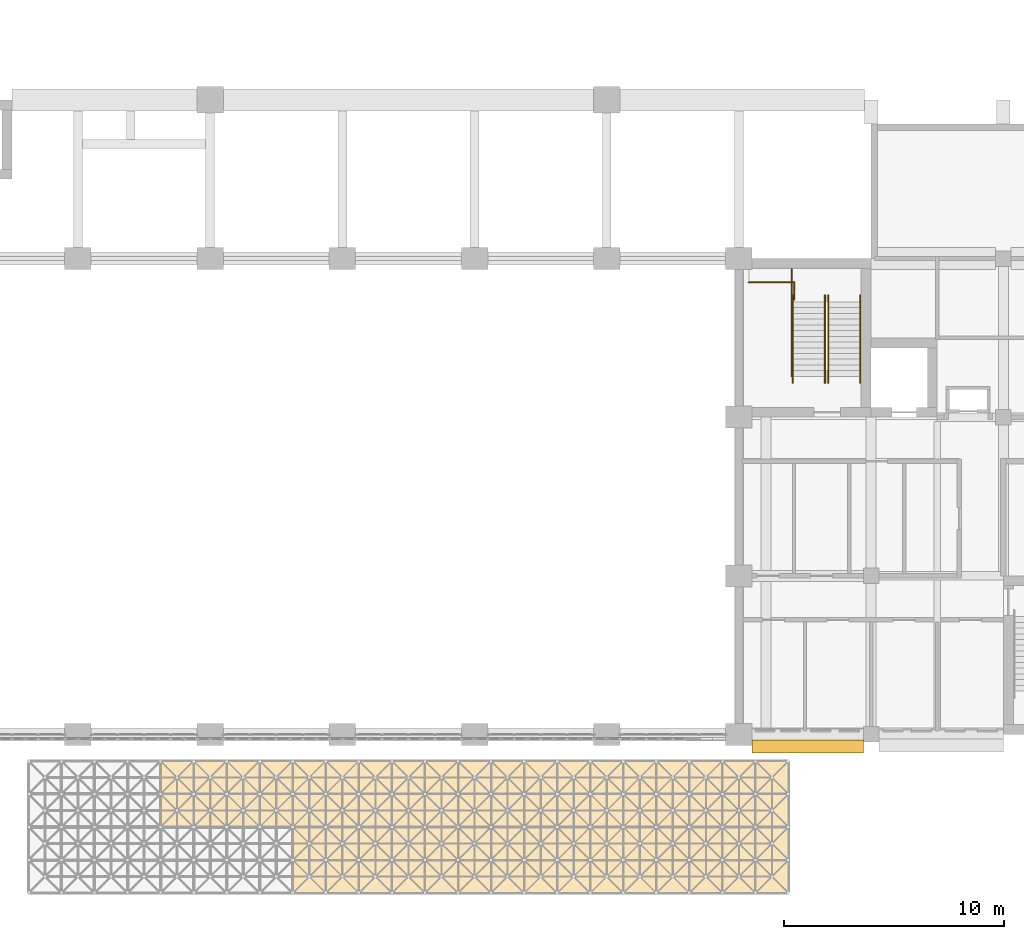
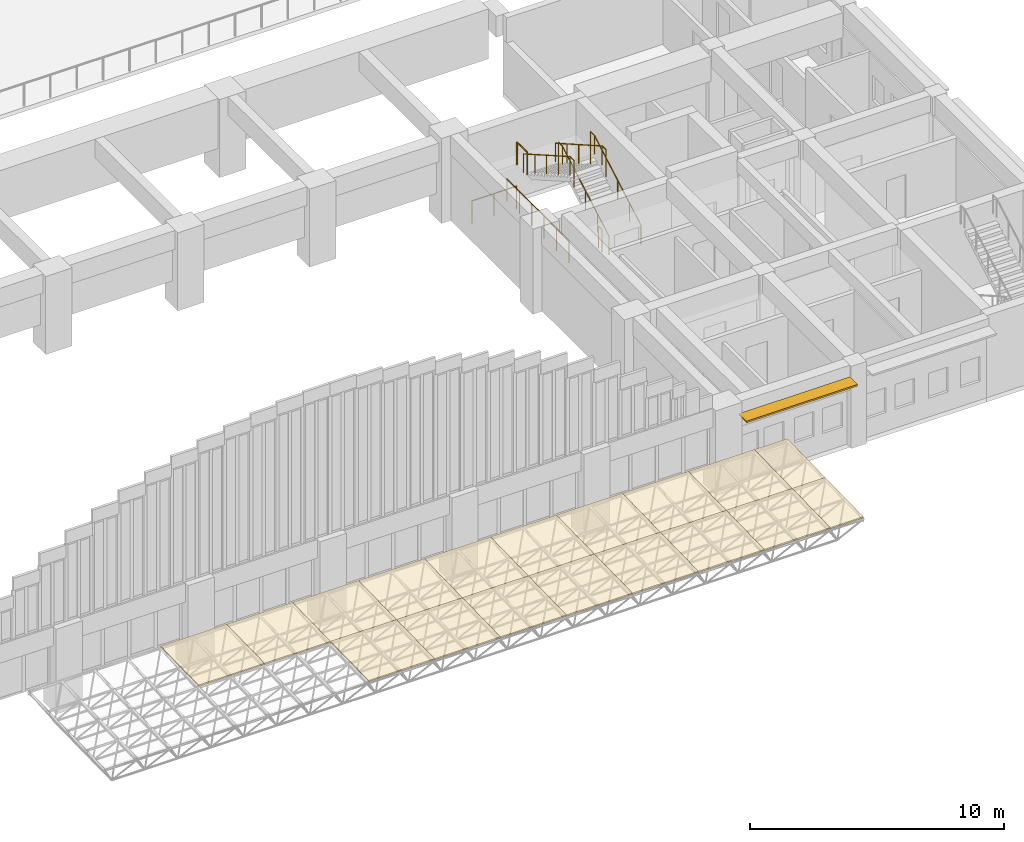
# One storey, part 96 of 103: 18 coverings, 8 railings, 1 shading device.
"""IFC4 building model written with IfcOpenShell, lengths in metres."""

import ifcopenshell
import ifcopenshell.guid

model = None  # the IFC model being written
_history = None  # IfcOwnerHistory: only IFC2X3 demands one
_inside = {}  # id of a spatial element -> (the spatial element, [elements in it])
_under = {}  # id of a project, library or spatial element -> (it, [spatial elements below it])
_declared = {}  # id of a project -> (the project, [libraries it declares])
_typed = {}  # id of a type object -> (the type object, [elements of that type])
_made_of = {}  # id of a material, layer set ... -> (it, [elements and type objects made of it])


def new_model(schema):
    """Start an empty IFC model of exactly this schema.

    Asked for "IFC4X3", IfcOpenShell would pick the latest addendum, in which some entities
    have other attributes; the version numbers below select the first issue.
    IFC2X3 requires an IfcOwnerHistory on every rooted entity: one is made here for all.
    """
    global model, _history
    if schema == "IFC4X3":
        model = ifcopenshell.file(schema_version=(4, 3, 0, 0))
    else:
        model = ifcopenshell.file(schema=schema)
    _inside.clear()
    _under.clear()
    _declared.clear()
    _typed.clear()
    _made_of.clear()
    _history = None
    if model.schema == "IFC2X3":
        org = make("IfcOrganization", Name="unknown")
        user = make(
            "IfcPersonAndOrganization",
            ThePerson=make("IfcPerson", FamilyName="unknown"),
            TheOrganization=org,
        )
        app = make(
            "IfcApplication",
            ApplicationDeveloper=org,
            Version="unknown",
            ApplicationFullName="unknown",
            ApplicationIdentifier="unknown",
        )
        _history = make(
            "IfcOwnerHistory",
            OwningUser=user,
            OwningApplication=app,
            ChangeAction="ADDED",
            CreationDate=0,
        )
    return model


def make(cls, **values):
    """One entity of the class cls with the attributes given. An attribute that is None is left unset."""
    return model.create_entity(
        cls, **{name: value for name, value in values.items() if value is not None}
    )


def rooted(cls, **values):
    """An entity with a GlobalId (a new one), such as an element, a storey or a relation."""
    return make(cls, GlobalId=ifcopenshell.guid.new(), OwnerHistory=_history, **values)


def si_unit(unit_type, name, prefix=None):
    """IfcSIUnit, for example si_unit("LENGTHUNIT", "METRE", prefix="MILLI")."""
    return make("IfcSIUnit", UnitType=unit_type, Prefix=prefix, Name=name)


def assignment(units):
    """IfcUnitAssignment: the units of a project."""
    return None if units is None else make("IfcUnitAssignment", Units=units)


def point(xyz):
    """IfcCartesianPoint."""
    return None if xyz is None else make("IfcCartesianPoint", Coordinates=xyz)


def direction(xyz):
    """IfcDirection."""
    return None if xyz is None else make("IfcDirection", DirectionRatios=xyz)


def frame(location, z_axis=None, x_axis=None):
    """IfcAxis2Placement3D, a coordinate frame: its origin and axes. An axis left out is left unset."""
    return make(
        "IfcAxis2Placement3D",
        Location=point(location),
        Axis=direction(z_axis),
        RefDirection=direction(x_axis),
    )


def frame_2d(location, x_axis=None):
    """IfcAxis2Placement2D, a coordinate frame in the plane: its origin and x axis."""
    return make(
        "IfcAxis2Placement2D", Location=point(location), RefDirection=direction(x_axis)
    )


def origin():
    """The frame at (0, 0, 0) with its axes left unset."""
    return frame((0.0, 0.0, 0.0))


def origin_2d():
    """The frame at (0, 0) in the plane with its x axis left unset."""
    return frame_2d((0.0, 0.0))


def place(relative_to, where):
    """IfcLocalPlacement: puts the frame where relative to a parent placement (None: the world)."""
    return make(
        "IfcLocalPlacement", PlacementRelTo=relative_to, RelativePlacement=where
    )


def context(
    kind, dimensions, precision=None, world=None, true_north=None, identifier=None
):
    """IfcGeometricRepresentationContext, for example the 3D "Model" context."""
    return make(
        "IfcGeometricRepresentationContext",
        ContextIdentifier=identifier,
        ContextType=kind,
        CoordinateSpaceDimension=dimensions,
        Precision=precision,
        WorldCoordinateSystem=world,
        TrueNorth=true_north,
    )


def subcontext(parent, identifier, kind, view, scale=None):
    """IfcGeometricRepresentationSubContext, for example "Body" below "Model"."""
    return make(
        "IfcGeometricRepresentationSubContext",
        ContextIdentifier=identifier,
        ContextType=kind,
        ParentContext=parent,
        TargetScale=scale,
        TargetView=view,
    )


def project(units=None, contexts=None):
    """IfcProject with its units and contexts."""
    return rooted(
        "IfcProject",
        Name="project",
        RepresentationContexts=contexts,
        UnitsInContext=assignment(units),
    )


def spatial(cls, under=None, at=None, **own):
    """A site, building, storey or space (cls), placed at a placement, below another one or the project."""
    s = rooted(cls, ObjectPlacement=at, **own)
    if under is not None:
        _under.setdefault(under.id(), (under, []))[1].append(s)
    return s


def polyline(points):
    """IfcPolyline through the points."""
    return make("IfcPolyline", Points=[point(p) for p in points])


def profile(cls, at=None, kind="AREA", **sizes):
    """A parametric profile (cls). Its sizes go by their IFC names, for example OverallWidth=200.0."""
    return make(cls, ProfileType=kind, Position=at, **sizes)


def rectangle(**sizes):
    """IfcRectangleProfileDef."""
    return profile("IfcRectangleProfileDef", **sizes)


def circle(**sizes):
    """IfcCircleProfileDef."""
    return profile("IfcCircleProfileDef", **sizes)


def outline(outer, holes=None, kind="AREA"):
    """IfcArbitraryClosedProfileDef: a profile drawn as a closed curve; with holes, ...WithVoids."""
    if holes is None:
        return make("IfcArbitraryClosedProfileDef", ProfileType=kind, OuterCurve=outer)
    return make(
        "IfcArbitraryProfileDefWithVoids",
        ProfileType=kind,
        OuterCurve=outer,
        InnerCurves=holes,
    )


def extrude(swept, where, along, depth):
    """IfcExtrudedAreaSolid: the profile swept, set in the frame where, extruded along a direction by depth."""
    return make(
        "IfcExtrudedAreaSolid",
        SweptArea=swept,
        Position=where,
        ExtrudedDirection=direction(along),
        Depth=depth,
    )


def shape(context_of_items, identifier, shape_type, items):
    """IfcShapeRepresentation: the items that make up one representation, for example the "Body"."""
    return make(
        "IfcShapeRepresentation",
        ContextOfItems=context_of_items,
        RepresentationIdentifier=identifier,
        RepresentationType=shape_type,
        Items=items,
    )


def material(Name=None, Category=None):
    """IfcMaterial."""
    return make("IfcMaterial", Name=Name, Category=Category)


def layer(
    of_material, thickness, ventilated=None, Name=None, Category=None, Priority=None
):
    """IfcMaterialLayer: one layer of a wall or slab, of a material (None: an air gap)."""
    return make(
        "IfcMaterialLayer",
        Material=of_material,
        LayerThickness=thickness,
        IsVentilated=ventilated,
        Name=Name,
        Category=Category,
        Priority=Priority,
    )


def layer_set(layers, Name=None):
    """IfcMaterialLayerSet."""
    return make("IfcMaterialLayerSet", MaterialLayers=layers, LayerSetName=Name)


def made_of(thing, what):
    """Note that an element or type object is made of a material, layer set ...; save() writes the relation."""
    if what is not None:
        _made_of.setdefault(what.id(), (what, []))[1].append(thing)
    return thing


def type_object(cls, material=None, **own):
    """A type object (cls), such as IfcWallType, which elements share."""
    return made_of(rooted(cls, **own), material)


def element(
    cls,
    number,
    at=None,
    inside=None,
    cuts=None,
    type_object=None,
    material=None,
    context=None,
    identifier="Body",
    shape_type=None,
    held_by="IfcProductDefinitionShape",
    body=None,
    shapes=None,
    **own,
):
    """One element of the class cls, such as IfcWall. Its Tag is "e" and its number.

    at: its placement. inside: the storey or other place that contains it. cuts: it is an
    opening in that element (IfcRelVoidsElement). A single representation is given by context,
    identifier, shape_type and body (its items); several are given by shapes. held_by: the class
    of the entity that holds the representations. save() writes the other relations.
    """
    e = rooted(cls, Tag="e%d" % number, ObjectPlacement=at, **own)
    if body is not None:
        shapes = [shape(context, identifier, shape_type, body)]
    if shapes is not None:
        e.Representation = make(held_by, Representations=shapes)
    if inside is not None:
        _inside.setdefault(inside.id(), (inside, []))[1].append(e)
    if cuts is not None:
        rooted(
            "IfcRelVoidsElement", RelatingBuildingElement=cuts, RelatedOpeningElement=e
        )
    if type_object is not None:
        _typed.setdefault(type_object.id(), (type_object, []))[1].append(e)
    return made_of(e, material)


def aggregate(whole, parts):
    """IfcRelAggregates: a whole, such as a stair, and the parts it consists of."""
    return rooted("IfcRelAggregates", RelatingObject=whole, RelatedObjects=parts)


def save(model, path):
    """Write the relations noted so far, then the file.

    IfcRelAggregates (storeys below a building ...), IfcRelContainedInSpatialStructure (elements
    in a storey), IfcRelDefinesByType, IfcRelAssociatesMaterial and IfcRelDeclares: one each for
    every whole, place, type object, material and project.
    """
    for whole, parts in _under.values():
        aggregate(whole, parts)
    for where, things in _inside.values():
        rooted(
            "IfcRelContainedInSpatialStructure",
            RelatedElements=things,
            RelatingStructure=where,
        )
    for kind, things in _typed.values():
        rooted("IfcRelDefinesByType", RelatedObjects=things, RelatingType=kind)
    for what, things in _made_of.values():
        rooted("IfcRelAssociatesMaterial", RelatedObjects=things, RelatingMaterial=what)
    for by, libraries in _declared.values():
        rooted("IfcRelDeclares", RelatingContext=by, RelatedDefinitions=libraries)
    model.write(path)


model = new_model("IFC4")

# Units and contexts
model_context = context("Model", 3, precision=1e-05, world=origin(), true_north=direction((0.0, 1.0)))
body_context = subcontext(model_context, "Body", "Model", "MODEL_VIEW")
ifc_project = project(units=[si_unit("LENGTHUNIT", "METRE"), si_unit("AREAUNIT", "SQUARE_METRE"), si_unit("VOLUMEUNIT", "CUBIC_METRE"), si_unit("PLANEANGLEUNIT", "RADIAN"), si_unit("MASSUNIT", "GRAM", prefix="KILO")], contexts=[model_context])

# Site, building, storey
site_placement = place(None, origin())
site = spatial("IfcSite", under=ifc_project, at=site_placement, CompositionType="ELEMENT")
building_placement = place(site_placement, origin())
building = spatial("IfcBuilding", under=site, at=building_placement, Name="Laocheng Heights Fire and Rescue Headquarters", CompositionType="ELEMENT")
storey_placement = place(building_placement, frame((0.0, 0.0, 4.199951171875)))
storey = spatial("IfcBuildingStorey", under=building, at=storey_placement, Name="L01", CompositionType="ELEMENT", Elevation=4.199951171875)

# Coverings
ifc_material_1 = material(Name="Standing-seam aluminium roof panel on insulated profiled deck", Category="aluminium")
ifc_layer_1 = layer(ifc_material_1, 0.06005859375)
ifc_layer_set_1 = layer_set([ifc_layer_1], Name="Standing-seam aluminium roof panel on insulated profiled deck")
covering_type = type_object("IfcCoveringType", Name="APRON CANOPY COVERING 60", PredefinedType="ROOFING", material=ifc_layer_set_1)
for number, where, z_axis, x_axis, name in (
    (1, (27.75, -1.199951171875, 2.193115234375), (0.0, -0.019934189218, 0.999801294308), (1.0, 0.0, 0.0), "Apron canopy covering 05"),
    (2, (30.75, -1.199951171875, 2.193115234375), (0.0, -0.019934189218, 0.999801294308), (1.0, 0.0, 0.0), "Apron canopy covering 07"),
    (3, (33.75, -1.199951171875, 2.193115234375), (0.0, -0.019934189218, 0.999801294308), (1.0, 0.0, 0.0), "Apron canopy covering 09"),
):
    element("IfcCovering", number, at=place(storey_placement, frame(where, z_axis=z_axis, x_axis=x_axis)), inside=storey, type_object=covering_type, Name=name, PredefinedType="ROOFING", context=body_context, shape_type="SweptSolid", body=[
        extrude(outline(polyline([(0.0, 0.0), (3.0, 0.0), (3.0, -3.0005962355509688), (0.0, -3.0005962355509688), (0.0, 0.0)])), origin(), (0.0, 0.0, -1.0), 0.06005859375),
    ])
covering_1_placement = place(storey_placement, frame((33.75, -4.199951171875, 2.13330078125), z_axis=(0.0, -0.020015520725, 0.999799669399), x_axis=(1.0, 0.0, 0.0)))
element("IfcCovering", 4, at=covering_1_placement, inside=storey, type_object=covering_type, Name="Apron canopy covering 10", PredefinedType="ROOFING", context=body_context, shape_type="SweptSolid", body=[
    extrude(outline(polyline([(0.0, 0.0), (3.0, 0.0), (3.0, -3.0006011122245533), (0.0, -3.0006011122245533), (0.0, 0.0)])), origin(), (0.0, 0.0, -1.0), 0.06005859375),
])
covering_2_placement = place(storey_placement, frame((36.75, -1.199951171875, 2.193115234375), z_axis=(0.0, -0.019934189218, 0.999801294308), x_axis=(1.0, 0.0, 0.0)))
element("IfcCovering", 5, at=covering_2_placement, inside=storey, type_object=covering_type, Name="Apron canopy covering 11", PredefinedType="ROOFING", context=body_context, shape_type="SweptSolid", body=[
    extrude(outline(polyline([(0.0, 0.0), (3.0, 0.0), (3.0, -3.0005962355509688), (0.0, -3.0005962355509688), (0.0, 0.0)])), origin(), (0.0, 0.0, -1.0), 0.06005859375),
])
covering_3_placement = place(storey_placement, frame((36.75, -4.199951171875, 2.13330078125), z_axis=(0.0, -0.020015520725, 0.999799669399), x_axis=(1.0, 0.0, 0.0)))
element("IfcCovering", 6, at=covering_3_placement, inside=storey, type_object=covering_type, Name="Apron canopy covering 12", PredefinedType="ROOFING", context=body_context, shape_type="SweptSolid", body=[
    extrude(outline(polyline([(0.0, 0.0), (3.0, 0.0), (3.0, -3.0006011122245533), (0.0, -3.0006011122245533), (0.0, 0.0)])), origin(), (0.0, 0.0, -1.0), 0.06005859375),
])
covering_4_placement = place(storey_placement, frame((39.75, -1.199951171875, 2.193115234375), z_axis=(0.0, -0.019934189218, 0.999801294308), x_axis=(1.0, 0.0, 0.0)))
element("IfcCovering", 7, at=covering_4_placement, inside=storey, type_object=covering_type, Name="Apron canopy covering 13", PredefinedType="ROOFING", context=body_context, shape_type="SweptSolid", body=[
    extrude(outline(polyline([(0.0, 0.0), (3.0, 0.0), (3.0, -3.0005962355509688), (0.0, -3.0005962355509688), (0.0, 0.0)])), origin(), (0.0, 0.0, -1.0), 0.06005859375),
])
covering_5_placement = place(storey_placement, frame((39.75, -4.199951171875, 2.13330078125), z_axis=(0.0, -0.020015520725, 0.999799669399), x_axis=(1.0, 0.0, 0.0)))
element("IfcCovering", 8, at=covering_5_placement, inside=storey, type_object=covering_type, Name="Apron canopy covering 14", PredefinedType="ROOFING", context=body_context, shape_type="SweptSolid", body=[
    extrude(outline(polyline([(0.0, 0.0), (3.0, 0.0), (3.0, -3.0006011122245533), (0.0, -3.0006011122245533), (0.0, 0.0)])), origin(), (0.0, 0.0, -1.0), 0.06005859375),
])
covering_6_placement = place(storey_placement, frame((42.75, -1.199951171875, 2.193115234375), z_axis=(0.0, -0.019934189218, 0.999801294308), x_axis=(1.0, 0.0, 0.0)))
element("IfcCovering", 9, at=covering_6_placement, inside=storey, type_object=covering_type, Name="Apron canopy covering 15", PredefinedType="ROOFING", context=body_context, shape_type="SweptSolid", body=[
    extrude(outline(polyline([(0.0, 0.0), (3.0, 0.0), (3.0, -3.0005962355509688), (0.0, -3.0005962355509688), (0.0, 0.0)])), origin(), (0.0, 0.0, -1.0), 0.06005859375),
])
covering_7_placement = place(storey_placement, frame((42.75, -4.199951171875, 2.13330078125), z_axis=(0.0, -0.020015520725, 0.999799669399), x_axis=(1.0, 0.0, 0.0)))
element("IfcCovering", 10, at=covering_7_placement, inside=storey, type_object=covering_type, Name="Apron canopy covering 16", PredefinedType="ROOFING", context=body_context, shape_type="SweptSolid", body=[
    extrude(outline(polyline([(0.0, 0.0), (3.0, 0.0), (3.0, -3.0006011122245533), (0.0, -3.0006011122245533), (0.0, 0.0)])), origin(), (0.0, 0.0, -1.0), 0.06005859375),
])
covering_8_placement = place(storey_placement, frame((45.75, -1.199951171875, 2.193115234375), z_axis=(0.0, -0.019934189218, 0.999801294308), x_axis=(1.0, 0.0, 0.0)))
element("IfcCovering", 11, at=covering_8_placement, inside=storey, type_object=covering_type, Name="Apron canopy covering 17", PredefinedType="ROOFING", context=body_context, shape_type="SweptSolid", body=[
    extrude(outline(polyline([(0.0, 0.0), (3.0, 0.0), (3.0, -3.0005962355509688), (0.0, -3.0005962355509688), (0.0, 0.0)])), origin(), (0.0, 0.0, -1.0), 0.06005859375),
])
covering_9_placement = place(storey_placement, frame((45.75, -4.199951171875, 2.13330078125), z_axis=(0.0, -0.020015520725, 0.999799669399), x_axis=(1.0, 0.0, 0.0)))
element("IfcCovering", 12, at=covering_9_placement, inside=storey, type_object=covering_type, Name="Apron canopy covering 18", PredefinedType="ROOFING", context=body_context, shape_type="SweptSolid", body=[
    extrude(outline(polyline([(0.0, 0.0), (3.0, 0.0), (3.0, -3.0006011122245533), (0.0, -3.0006011122245533), (0.0, 0.0)])), origin(), (0.0, 0.0, -1.0), 0.06005859375),
])
covering_10_placement = place(storey_placement, frame((48.75, -1.199951171875, 2.193115234375), z_axis=(0.0, -0.019934189218, 0.999801294308), x_axis=(1.0, 0.0, 0.0)))
element("IfcCovering", 13, at=covering_10_placement, inside=storey, type_object=covering_type, Name="Apron canopy covering 19", PredefinedType="ROOFING", context=body_context, shape_type="SweptSolid", body=[
    extrude(outline(polyline([(0.0, 0.0), (3.0, 0.0), (3.0, -3.0005962355509688), (0.0, -3.0005962355509688), (0.0, 0.0)])), origin(), (0.0, 0.0, -1.0), 0.06005859375),
])
covering_11_placement = place(storey_placement, frame((48.75, -4.199951171875, 2.13330078125), z_axis=(0.0, -0.020015520725, 0.999799669399), x_axis=(1.0, 0.0, 0.0)))
element("IfcCovering", 14, at=covering_11_placement, inside=storey, type_object=covering_type, Name="Apron canopy covering 20", PredefinedType="ROOFING", context=body_context, shape_type="SweptSolid", body=[
    extrude(outline(polyline([(0.0, 0.0), (3.0, 0.0), (3.0, -3.0006011122245533), (0.0, -3.0006011122245533), (0.0, 0.0)])), origin(), (0.0, 0.0, -1.0), 0.06005859375),
])
covering_12_placement = place(storey_placement, frame((51.75, -1.199951171875, 2.193115234375), z_axis=(0.0, -0.019934189218, 0.999801294308), x_axis=(1.0, 0.0, 0.0)))
element("IfcCovering", 15, at=covering_12_placement, inside=storey, type_object=covering_type, Name="Apron canopy covering 21", PredefinedType="ROOFING", context=body_context, shape_type="SweptSolid", body=[
    extrude(outline(polyline([(0.0, 0.0), (3.0, 0.0), (3.0, -3.0005962355509688), (0.0, -3.0005962355509688), (0.0, 0.0)])), origin(), (0.0, 0.0, -1.0), 0.06005859375),
])
covering_13_placement = place(storey_placement, frame((51.75, -4.199951171875, 2.13330078125), z_axis=(0.0, -0.020015520725, 0.999799669399), x_axis=(1.0, 0.0, 0.0)))
element("IfcCovering", 16, at=covering_13_placement, inside=storey, type_object=covering_type, Name="Apron canopy covering 22", PredefinedType="ROOFING", context=body_context, shape_type="SweptSolid", body=[
    extrude(outline(polyline([(0.0, 0.0), (3.0, 0.0), (3.0, -3.0006011122245533), (0.0, -3.0006011122245533), (0.0, 0.0)])), origin(), (0.0, 0.0, -1.0), 0.06005859375),
])
covering_14_placement = place(storey_placement, frame((54.75, -1.199951171875, 2.193115234375), z_axis=(0.0, -0.019934189218, 0.999801294308), x_axis=(1.0, 0.0, 0.0)))
element("IfcCovering", 17, at=covering_14_placement, inside=storey, type_object=covering_type, Name="Apron canopy covering 23", PredefinedType="ROOFING", context=body_context, shape_type="SweptSolid", body=[
    extrude(outline(polyline([(0.0, 0.0), (1.5, 0.0), (1.5, -3.0005962355509688), (0.0, -3.0005962355509688), (0.0, 0.0)])), origin(), (0.0, 0.0, -1.0), 0.06005859375),
])
covering_15_placement = place(storey_placement, frame((54.75, -4.199951171875, 2.13330078125), z_axis=(0.0, -0.020015520725, 0.999799669399), x_axis=(1.0, 0.0, 0.0)))
element("IfcCovering", 18, at=covering_15_placement, inside=storey, type_object=covering_type, Name="Apron canopy covering 24", PredefinedType="ROOFING", context=body_context, shape_type="SweptSolid", body=[
    extrude(outline(polyline([(0.0, 0.0), (1.5, 0.0), (1.5, -3.0006011122245533), (0.0, -3.0006011122245533), (0.0, 0.0)])), origin(), (0.0, 0.0, -1.0), 0.06005859375),
])

# Shading device
ifc_material_2 = material(Name="Precast concrete C40/50, light warm grey", Category="concrete")
ifc_layer_2 = layer(ifc_material_2, 0.080078125)
ifc_layer_set_2 = layer_set([ifc_layer_2], Name="Precast concrete C40/50, light warm grey")
shading_device_type = type_object("IfcShadingDeviceType", Name="PRECAST BLADE 600 x 80 BLADE E FLANK SOUTH", PredefinedType="JALOUSIE", material=ifc_layer_set_2)
shading_device_placement = place(storey_placement, frame((57.125, -0.550048828125, 3.31005859375), z_axis=(0.0, 0.0, 1.0), x_axis=(1.0, 0.0, 0.0)))
element("IfcShadingDevice", 19, at=shading_device_placement, inside=storey, type_object=shading_device_type, Name="BLADE E FLANK SOUTH L01", PredefinedType="JALOUSIE", context=body_context, shape_type="SweptSolid", body=[
    extrude(rectangle(XDim=5.050048828125, YDim=0.60009765625, at=origin_2d()), origin(), (0.0, 0.0, 1.0), 0.080078125),
])

# Railings
ifc_material_3 = material(Name="Steel Q355B", Category="steel")
railing_type_1 = type_object("IfcRailingType", Name="STAIR GUARD 1100", PredefinedType="GUARDRAIL", material=ifc_material_3)
railing_1_placement = place(storey_placement, frame((57.905029296875, 16.550048828125, 0.0)))
element("IfcRailing", 20, at=railing_1_placement, inside=storey, type_object=railing_type_1, Name="Stair E1 guard L01 well edge", PredefinedType="GUARDRAIL", context=body_context, shape_type="SweptSolid", body=[
    extrude(circle(Radius=0.02392578125, at=origin_2d()), frame((0.0, 0.0, 1.076171875), z_axis=(0.0, -1.0, 0.0), x_axis=(1.0, 0.0, 0.0)), (0.0, 0.0, 1.0), 0.300048828125),
    extrude(circle(Radius=0.02099609375, at=origin_2d()), origin(), (0.0, 0.0, 1.0), 1.052001953125),
    extrude(circle(Radius=0.02099609375, at=origin_2d()), frame((0.0, -0.300048828125, 0.0)), (0.0, 0.0, 1.0), 1.052001953125),
])
railing_2_placement = place(storey_placement, frame((56.47509765625, 20.52001953125, 0.0)))
element("IfcRailing", 21, at=railing_2_placement, inside=storey, type_object=railing_type_1, Name="Stair E1 guard L01 tongue edge", PredefinedType="GUARDRAIL", context=body_context, shape_type="SweptSolid", body=[
    extrude(circle(Radius=0.02392578125, at=origin_2d()), frame((0.0, 0.0, 1.076171875), z_axis=(-1.0, 0.0, 0.0), x_axis=(0.0, -1.0, 0.0)), (0.0, 0.0, 1.0), 2.025146484375),
    extrude(circle(Radius=0.02099609375, at=origin_2d()), origin(), (0.0, 0.0, 1.0), 1.052001953125),
    extrude(circle(Radius=0.02099609375, at=origin_2d()), frame((-1.0126953125, 0.0, 0.0)), (0.0, 0.0, 1.0), 1.052001953125),
    extrude(circle(Radius=0.02099609375, at=origin_2d()), frame((-2.025146484375, 0.0, 0.0)), (0.0, 0.0, 1.0), 1.052001953125),
])
railing_3_placement = place(storey_placement, frame((56.39501953125, 21.1298828125, 0.0)))
element("IfcRailing", 22, at=railing_3_placement, inside=storey, type_object=railing_type_1, Name="Stair E1 guard L01 strip edge", PredefinedType="GUARDRAIL", context=body_context, shape_type="SweptSolid", body=[
    extrude(circle(Radius=0.02392578125, at=origin_2d()), frame((0.0, 0.0, 1.076171875), z_axis=(0.0, -1.0, 0.0), x_axis=(1.0, 0.0, 0.0)), (0.0, 0.0, 1.0), 4.8798828125),
    extrude(circle(Radius=0.02099609375, at=origin_2d()), origin(), (0.0, 0.0, 1.0), 1.052001953125),
    extrude(circle(Radius=0.02099609375, at=origin_2d()), frame((0.0, -0.97607421875, 0.0)), (0.0, 0.0, 1.0), 1.052001953125),
    extrude(circle(Radius=0.02099609375, at=origin_2d()), frame((0.0, -1.951904296875, 0.0)), (0.0, 0.0, 1.0), 1.052001953125),
    extrude(circle(Radius=0.02099609375, at=origin_2d()), frame((0.0, -2.927978515625, 0.0)), (0.0, 0.0, 1.0), 1.052001953125),
    extrude(circle(Radius=0.02099609375, at=origin_2d()), frame((0.0, -3.90380859375, 0.0)), (0.0, 0.0, 1.0), 1.052001953125),
    extrude(circle(Radius=0.02099609375, at=origin_2d()), frame((0.0, -4.8798828125, 0.0)), (0.0, 0.0, 1.0), 1.052001953125),
])
railing_4_placement = place(storey_placement, frame((56.5048828125, 20.530029296875, 2.10009765625)))
element("IfcRailing", 23, at=railing_4_placement, inside=storey, type_object=railing_type_1, Name="Stair E1 guard L01 half landing", PredefinedType="GUARDRAIL", context=body_context, shape_type="SweptSolid", body=[
    extrude(circle(Radius=0.02392578125, at=origin_2d()), frame((0.0, 0.0, 1.076171875), z_axis=(0.0, -1.0, 0.0), x_axis=(1.0, 0.0, 0.0)), (0.0, 0.0, 1.0), 0.800048828125),
    extrude(circle(Radius=0.02099609375, at=origin_2d()), origin(), (0.0, 0.0, 1.0), 1.052001953125),
    extrude(circle(Radius=0.02099609375, at=origin_2d()), frame((0.0, -0.800048828125, 0.0)), (0.0, 0.0, 1.0), 1.052001953125),
])
ifc_material_4 = material(Name="Steel Q355B", Category="steel")
railing_type_2 = type_object("IfcRailingType", Name="STAIR HANDRAIL 920", PredefinedType="HANDRAIL", material=ifc_material_4)
for number, where, name in (
    (24, (59.5048828125, 15.949951171875, 0.0), "Stair E1 handrail L01 1"),
    (25, (58.044921875, 15.949951171875, 0.0), "Stair E1 handrail L01 2"),
):
    element("IfcRailing", number, at=place(storey_placement, frame(where)), inside=storey, type_object=railing_type_2, Name=name, PredefinedType="HANDRAIL", context=body_context, shape_type="SweptSolid", body=[
        extrude(circle(Radius=0.02392578125, at=origin_2d()), frame((0.0, 0.0, 0.89599609375), z_axis=(0.0, 0.868519587458, 0.495654845838), x_axis=(-1.0, 0.0, 0.0)), (0.0, 0.0, 1.0), 4.237060546875),
        extrude(circle(Radius=0.02392578125, at=origin_2d()), frame((0.0, 3.679931640625, 2.99609375), z_axis=(0.0, 1.0, 0.0), x_axis=(-1.0, 0.0, 0.0)), (0.0, 0.0, 1.0), 0.300048828125),
        extrude(circle(Radius=0.02099609375, at=origin_2d()), origin(), (0.0, 0.0, 1.0), 0.871826171875),
        extrude(circle(Radius=0.02099609375, at=origin_2d()), frame((0.0, 0.919921875, 0.52490234375)), (0.0, 0.0, 1.0), 0.871826171875),
        extrude(circle(Radius=0.02099609375, at=origin_2d()), frame((0.0, 1.83984375, 1.050048828125)), (0.0, 0.0, 1.0), 0.871826171875),
        extrude(circle(Radius=0.02099609375, at=origin_2d()), frame((0.0, 2.760009765625, 1.5751953125)), (0.0, 0.0, 1.0), 0.871826171875),
        extrude(circle(Radius=0.02099609375, at=origin_2d()), frame((0.0, 3.679931640625, 2.10009765625)), (0.0, 0.0, 1.0), 0.871826171875),
        extrude(circle(Radius=0.02099609375, at=origin_2d()), frame((0.0, 3.97998046875, 2.10009765625)), (0.0, 0.0, 1.0), 0.871826171875),
    ])
for number, where, name in (
    (26, (57.905029296875, 19.929931640625, 2.10009765625), "Stair E1 handrail L01 3"),
    (27, (56.445068359375, 19.929931640625, 2.10009765625), "Stair E1 handrail L01 4"),
):
    element("IfcRailing", number, at=place(storey_placement, frame(where)), inside=storey, type_object=railing_type_2, Name=name, PredefinedType="HANDRAIL", context=body_context, shape_type="SweptSolid", body=[
        extrude(circle(Radius=0.02392578125, at=origin_2d()), frame((0.0, 0.0, 0.89599609375), z_axis=(0.0, -0.868544392059, 0.495611379029), x_axis=(1.0, 0.0, 0.0)), (0.0, 0.0, 1.0), 4.23681640625),
        extrude(circle(Radius=0.02392578125, at=origin_2d()), frame((0.0, -3.679931640625, 2.99560546875), z_axis=(0.0, -1.0, 0.0), x_axis=(1.0, 0.0, 0.0)), (0.0, 0.0, 1.0), 0.300048828125),
        extrude(circle(Radius=0.02099609375, at=origin_2d()), origin(), (0.0, 0.0, 1.0), 0.871826171875),
        extrude(circle(Radius=0.02099609375, at=origin_2d()), frame((0.0, -0.919921875, 0.52490234375)), (0.0, 0.0, 1.0), 0.871826171875),
        extrude(circle(Radius=0.02099609375, at=origin_2d()), frame((0.0, -1.83984375, 1.0498046875)), (0.0, 0.0, 1.0), 0.871826171875),
        extrude(circle(Radius=0.02099609375, at=origin_2d()), frame((0.0, -2.760009765625, 1.574951171875)), (0.0, 0.0, 1.0), 0.871826171875),
        extrude(circle(Radius=0.02099609375, at=origin_2d()), frame((0.0, -3.679931640625, 2.099853515625)), (0.0, 0.0, 1.0), 0.871826171875),
        extrude(circle(Radius=0.02099609375, at=origin_2d()), frame((0.0, -3.97998046875, 2.099853515625)), (0.0, 0.0, 1.0), 0.871826171875),
    ])

save(model, "model.ifc")
